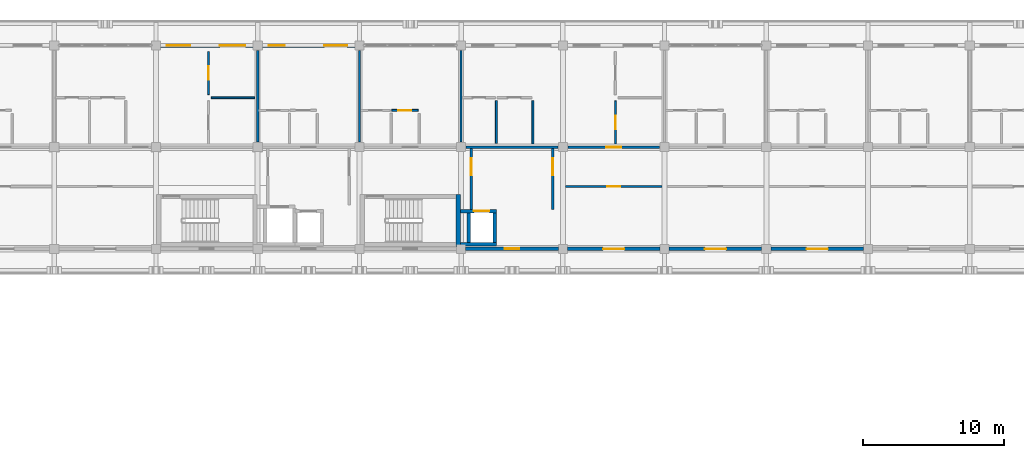
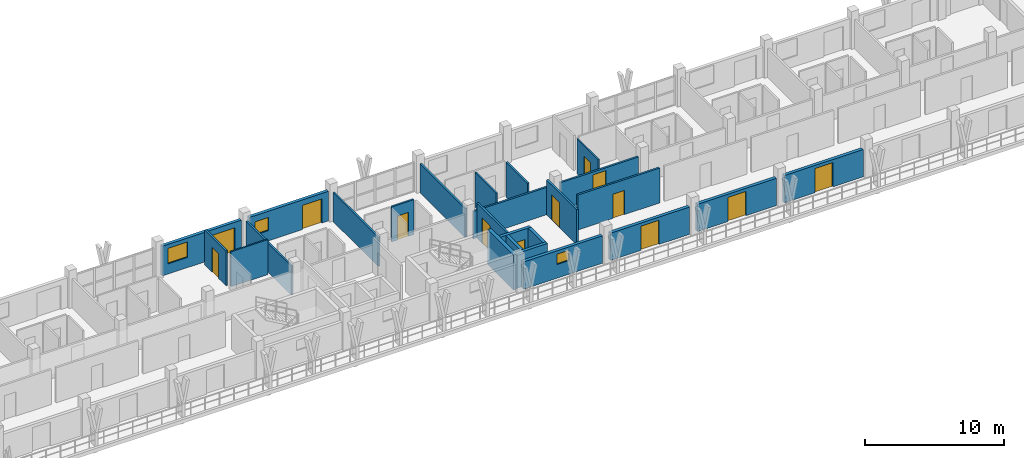
# One storey, part 45 of 75: 25 walls, 13 doors, 3 windows, 16 openings.
"""IFC4 building model written with IfcOpenShell, lengths in metres."""

from ifc_helpers import new_model, si_unit, direction, frame, frame_2d, origin, place, context, subcontext, project, spatial, rectangle, extrude, material, layer, layer_set, type_object, element, fill, save


model = new_model("IFC4")

# Units and contexts
model_context = context("Model", 3, precision=1e-05, world=origin(), true_north=direction((0.0, 1.0)))
body_context = subcontext(model_context, "Body", "Model", "MODEL_VIEW")
ifc_project = project(units=[si_unit("LENGTHUNIT", "METRE"), si_unit("AREAUNIT", "SQUARE_METRE"), si_unit("VOLUMEUNIT", "CUBIC_METRE"), si_unit("PLANEANGLEUNIT", "RADIAN"), si_unit("MASSUNIT", "GRAM", prefix="KILO")], contexts=[model_context])

# Site, building, storey
site_placement = place(None, origin())
site = spatial("IfcSite", under=ifc_project, at=site_placement, CompositionType="ELEMENT")
building_placement = place(site_placement, origin())
building = spatial("IfcBuilding", under=site, at=building_placement, Name="Suanplinth Sawtooth Commons", CompositionType="ELEMENT")
storey_placement = place(building_placement, frame((0.0, 0.0, 18.60009765625)))
storey = spatial("IfcBuildingStorey", under=building, at=storey_placement, Name="L05", CompositionType="ELEMENT", Elevation=18.60009765625)

# Wall
ifc_material_1 = material(Name="Concrete C40/50", Category="concrete")
ifc_layer_1 = layer(ifc_material_1, 0.300048828125, Name="Standard RC stair and lift core wall 300mm")
ifc_layer_set_1 = layer_set([ifc_layer_1], Name="Concrete C40/50")
wall_type_1 = type_object("IfcWallType", Name="W-CR02", PredefinedType="SHEAR", material=ifc_layer_set_1)
wall_1_placement = place(storey_placement, frame((64.60009765625, 108.14990234375, 0.0), z_axis=(0.0, 0.0, 1.0), x_axis=(0.0, 1.0, 0.0)))
element("IfcWall", 1, at=wall_1_placement, inside=storey, type_object=wall_type_1, Name="W-L05-C-A2-STE", PredefinedType="SHEAR", context=body_context, shape_type="SweptSolid", body=[
    extrude(rectangle(XDim=3.7001953125, YDim=0.300048828125, at=frame_2d((1.85009765625, 0.0))), origin(), (0.0, 0.0, 1.0), 3.059814453125),
])

# Wall, openings, door, window
ifc_material_2 = material(Name="Precast concrete C40/50", Category="concrete")
ifc_layer_2 = layer(ifc_material_2, 0.260009765625, Name="Insulated precast courtyard facade wall 260mm")
ifc_layer_set_2 = layer_set([ifc_layer_2], Name="Precast concrete C40/50")
wall_type_2 = type_object("IfcWallType", Name="W-EX02", PredefinedType="ELEMENTEDWALL", material=ifc_layer_set_2)
wall_2_placement = place(storey_placement, frame((43.52490234375, 122.39990234375, 0.0), z_axis=(0.0, 0.0, 1.0), x_axis=(1.0, 0.0, 0.0)))
wall_2 = element("IfcWall", 2, at=wall_2_placement, inside=storey, type_object=wall_type_2, Name="Facade Wall W-L05-A-N-6", PredefinedType="ELEMENTEDWALL", context=body_context, shape_type="SweptSolid", body=[
    extrude(rectangle(XDim=6.550048828125, YDim=0.260009765625, at=frame_2d((3.27490234375, 0.0))), origin(), (0.0, 0.0, 1.0), 2.594970703125),
])
opening_1_placement = place(wall_2_placement, frame((4.199951171875, 0.0, 0.0)))
opening_1 = element("IfcOpeningElement", 3, at=opening_1_placement, cuts=wall_2, Name="Opening ED0405", PredefinedType="OPENING", context=body_context, shape_type="SweptSolid", body=[
    extrude(rectangle(XDim=1.800048828125, YDim=2.1201171875, at=frame_2d((0.89990234375, 1.06005859375))), frame((0.0, 0.14501953125, 0.0), z_axis=(0.0, -1.0, 0.0), x_axis=(1.0, 0.0, 0.0)), (0.0, 0.0, 1.0), 0.289794921875),
])
opening_2_placement = place(wall_2_placement, frame((0.449951171875, 0.0, 0.89990234375)))
opening_2 = element("IfcOpeningElement", 4, at=opening_2_placement, cuts=wall_2, Name="Opening W0496", PredefinedType="OPENING", context=body_context, shape_type="SweptSolid", body=[
    extrude(rectangle(XDim=1.64990234375, YDim=1.35009765625, at=frame_2d((0.824951171875, 0.675048828125))), frame((0.0, 0.14501953125, 0.0), z_axis=(0.0, -1.0, 0.0), x_axis=(1.0, 0.0, 0.0)), (0.0, 0.0, 1.0), 0.289794921875),
])
ifc_material_3 = material(Name="Anodized aluminium and low-E glass", Category="aluminium")
door_type_1 = type_object("IfcDoorType", Name="SD-01", OperationType="SLIDING_TO_LEFT", PredefinedType="DOOR", material=ifc_material_3)
door_1_placement = place(opening_1_placement, frame((1.800048828125, 0.0, 0.0), z_axis=(0.0, 0.0, 1.0), x_axis=(-1.0, 0.0, 0.0)))
door_1 = element("IfcDoor", 5, at=door_1_placement, inside=storey, type_object=door_type_1, Name="Balcony Sliding Door L05-A-N-6", OperationType="SLIDING_TO_LEFT", OverallHeight=2.1201171875, OverallWidth=1.800048828125, PredefinedType="DOOR", context=body_context, shape_type="SweptSolid", body=[
    extrude(rectangle(XDim=1.800048828125, YDim=2.1201171875, at=frame_2d((0.89990234375, 1.06005859375))), frame((0.0, 0.02490234375, 0.0), z_axis=(0.0, -1.0, 0.0), x_axis=(1.0, 0.0, 0.0)), (0.0, 0.0, 1.0), 0.050048828125),
])
fill(opening_1, door_1)
ifc_material_4 = material(Name="Thermally broken aluminium and low-E double glazing", Category="aluminium")
window_type_1 = type_object("IfcWindowType", Name="WN-19", PartitioningType="DOUBLE_PANEL_VERTICAL", PredefinedType="WINDOW", material=ifc_material_4)
window_1_placement = place(opening_2_placement, origin())
window_1 = element("IfcWindow", 6, at=window_1_placement, inside=storey, type_object=window_type_1, Name="Window L05-A-N-6", OverallHeight=1.35009765625, OverallWidth=1.64990234375, PartitioningType="DOUBLE_PANEL_VERTICAL", PredefinedType="WINDOW", context=body_context, shape_type="SweptSolid", body=[
    extrude(rectangle(XDim=1.64990234375, YDim=1.35009765625, at=frame_2d((0.824951171875, 0.675048828125))), frame((0.0, 0.030029296875, 0.0), z_axis=(0.0, -1.0, 0.0), x_axis=(1.0, 0.0, 0.0)), (0.0, 0.0, 1.0), 0.06005859375),
])
fill(opening_2, window_1)

wall_3_placement = place(storey_placement, frame((50.72509765625, 122.39990234375, 0.0), z_axis=(0.0, 0.0, 1.0), x_axis=(1.0, 0.0, 0.0)))
wall_3 = element("IfcWall", 7, at=wall_3_placement, inside=storey, type_object=wall_type_2, Name="Facade Wall W-L05-A-N-7", PredefinedType="ELEMENTEDWALL", context=body_context, shape_type="SweptSolid", body=[
    extrude(rectangle(XDim=6.5498046875, YDim=0.260009765625, at=frame_2d((3.27490234375, 0.0))), origin(), (0.0, 0.0, 1.0), 2.594970703125),
])
opening_3_placement = place(wall_3_placement, frame((4.39990234375, 0.0, 0.0)))
opening_3 = element("IfcOpeningElement", 8, at=opening_3_placement, cuts=wall_3, Name="Opening ED0406", PredefinedType="OPENING", context=body_context, shape_type="SweptSolid", body=[
    extrude(rectangle(XDim=1.60009765625, YDim=2.1201171875, at=frame_2d((0.800048828125, 1.06005859375))), frame((0.0, 0.14501953125, 0.0), z_axis=(0.0, -1.0, 0.0), x_axis=(1.0, 0.0, 0.0)), (0.0, 0.0, 1.0), 0.289794921875),
])
opening_4_placement = place(wall_3_placement, frame((0.449951171875, 0.0, 0.89990234375)))
opening_4 = element("IfcOpeningElement", 9, at=opening_4_placement, cuts=wall_3, Name="Opening W0498", PredefinedType="OPENING", context=body_context, shape_type="SweptSolid", body=[
    extrude(rectangle(XDim=1.14990234375, YDim=1.14990234375, at=frame_2d((0.574951171875, 0.574951171875))), frame((0.0, 0.14501953125, 0.0), z_axis=(0.0, -1.0, 0.0), x_axis=(1.0, 0.0, 0.0)), (0.0, 0.0, 1.0), 0.289794921875),
])
door_type_2 = type_object("IfcDoorType", Name="SD-02", OperationType="SLIDING_TO_RIGHT", PredefinedType="DOOR", material=ifc_material_3)
door_2_placement = place(opening_3_placement, frame((1.60009765625, 0.0, 0.0), z_axis=(0.0, 0.0, 1.0), x_axis=(-1.0, 0.0, 0.0)))
door_2 = element("IfcDoor", 10, at=door_2_placement, inside=storey, type_object=door_type_2, Name="Balcony Sliding Door L05-A-N-7", OperationType="SLIDING_TO_RIGHT", OverallHeight=2.1201171875, OverallWidth=1.60009765625, PredefinedType="DOOR", context=body_context, shape_type="SweptSolid", body=[
    extrude(rectangle(XDim=1.60009765625, YDim=2.1201171875, at=frame_2d((0.800048828125, 1.06005859375))), frame((0.0, 0.02490234375, 0.0), z_axis=(0.0, -1.0, 0.0), x_axis=(1.0, 0.0, 0.0)), (0.0, 0.0, 1.0), 0.050048828125),
])
fill(opening_3, door_2)
window_type_2 = type_object("IfcWindowType", Name="WN-20", PartitioningType="SINGLE_PANEL", PredefinedType="WINDOW", material=ifc_material_4)
window_2_placement = place(opening_4_placement, origin())
window_2 = element("IfcWindow", 11, at=window_2_placement, inside=storey, type_object=window_type_2, Name="Window L05-A-N-7", OverallHeight=1.14990234375, OverallWidth=1.14990234375, PartitioningType="SINGLE_PANEL", PredefinedType="WINDOW", context=body_context, shape_type="SweptSolid", body=[
    extrude(rectangle(XDim=1.14990234375, YDim=1.14990234375, at=frame_2d((0.574951171875, 0.574951171875))), frame((0.0, 0.030029296875, 0.0), z_axis=(0.0, -1.0, 0.0), x_axis=(1.0, 0.0, 0.0)), (0.0, 0.0, 1.0), 0.06005859375),
])
fill(opening_4, window_2)

# Wall, opening, window
wall_4_placement = place(storey_placement, frame((65.125, 108.0, 0.0), z_axis=(0.0, 0.0, 1.0), x_axis=(1.0, 0.0, 0.0)))
wall_4 = element("IfcWall", 12, at=wall_4_placement, inside=storey, type_object=wall_type_2, Name="Courtyard Wall W-L05-A-S-9", PredefinedType="ELEMENTEDWALL", context=body_context, shape_type="SweptSolid", body=[
    extrude(rectangle(XDim=6.550048828125, YDim=0.260009765625, at=frame_2d((3.27490234375, 0.0))), origin(), (0.0, 0.0, 1.0), 2.39501953125),
])
opening_5_placement = place(wall_4_placement, frame((2.77490234375, 0.0, 1.199951171875)))
opening_5 = element("IfcOpeningElement", 13, at=opening_5_placement, cuts=wall_4, Name="Opening W0502", PredefinedType="OPENING", context=body_context, shape_type="SweptSolid", body=[
    extrude(rectangle(XDim=1.0, YDim=0.89990234375, at=frame_2d((0.5, 0.449951171875))), frame((0.0, 0.14501953125, 0.0), z_axis=(0.0, -1.0, 0.0), x_axis=(1.0, 0.0, 0.0)), (0.0, 0.0, 1.0), 0.289794921875),
])
window_type_3 = type_object("IfcWindowType", Name="WN-12", PartitioningType="SINGLE_PANEL", PredefinedType="WINDOW", material=ifc_material_4)
window_3_placement = place(opening_5_placement, origin())
window_3 = element("IfcWindow", 14, at=window_3_placement, inside=storey, type_object=window_type_3, Name="Core Daylight Window L05-A-9", OverallHeight=0.89990234375, OverallWidth=1.0, PartitioningType="SINGLE_PANEL", PredefinedType="WINDOW", context=body_context, shape_type="SweptSolid", body=[
    extrude(rectangle(XDim=1.0, YDim=0.89990234375, at=frame_2d((0.5, 0.449951171875))), frame((0.0, 0.030029296875, 0.0), z_axis=(0.0, -1.0, 0.0), x_axis=(1.0, 0.0, 0.0)), (0.0, 0.0, 1.0), 0.06005859375),
])
fill(opening_5, window_3)

# Wall, opening, door
wall_5_placement = place(storey_placement, frame((72.324951171875, 108.0, 0.0), z_axis=(0.0, 0.0, 1.0), x_axis=(1.0, 0.0, 0.0)))
wall_5 = element("IfcWall", 15, at=wall_5_placement, inside=storey, type_object=wall_type_2, Name="Courtyard Wall W-L05-A-S-10", PredefinedType="ELEMENTEDWALL", context=body_context, shape_type="SweptSolid", body=[
    extrude(rectangle(XDim=6.550048828125, YDim=0.260009765625, at=frame_2d((3.27490234375, 0.0))), origin(), (0.0, 0.0, 1.0), 2.39501953125),
])
opening_6_placement = place(wall_5_placement, frame((2.52490234375, 0.0, 0.0)))
opening_6 = element("IfcOpeningElement", 16, at=opening_6_placement, cuts=wall_5, Name="Opening ED0409", PredefinedType="OPENING", context=body_context, shape_type="SweptSolid", body=[
    extrude(rectangle(XDim=1.5, YDim=2.1201171875, at=frame_2d((0.75, 1.06005859375))), frame((0.0, 0.14501953125, 0.0), z_axis=(0.0, -1.0, 0.0), x_axis=(1.0, 0.0, 0.0)), (0.0, 0.0, 1.0), 0.289794921875),
])
door_type_3 = type_object("IfcDoorType", Name="SD-03", OperationType="SLIDING_TO_LEFT", PredefinedType="DOOR", material=ifc_material_3)
door_3_placement = place(opening_6_placement, frame((1.5, 0.0, 0.0), z_axis=(0.0, 0.0, 1.0), x_axis=(-1.0, 0.0, 0.0)))
door_3 = element("IfcDoor", 17, at=door_3_placement, inside=storey, type_object=door_type_3, Name="Courtyard Balcony Sliding Door L05-A-S-10", OperationType="SLIDING_TO_LEFT", OverallHeight=2.1201171875, OverallWidth=1.5, PredefinedType="DOOR", context=body_context, shape_type="SweptSolid", body=[
    extrude(rectangle(XDim=1.5, YDim=2.1201171875, at=frame_2d((0.75, 1.06005859375))), frame((0.0, 0.02490234375, 0.0), z_axis=(0.0, -1.0, 0.0), x_axis=(1.0, 0.0, 0.0)), (0.0, 0.0, 1.0), 0.050048828125),
])
fill(opening_6, door_3)

wall_6_placement = place(storey_placement, frame((79.52490234375, 108.0, 0.0), z_axis=(0.0, 0.0, 1.0), x_axis=(1.0, 0.0, 0.0)))
wall_6 = element("IfcWall", 18, at=wall_6_placement, inside=storey, type_object=wall_type_2, Name="Courtyard Wall W-L05-A-S-11", PredefinedType="ELEMENTEDWALL", context=body_context, shape_type="SweptSolid", body=[
    extrude(rectangle(XDim=6.550048828125, YDim=0.260009765625, at=frame_2d((3.27490234375, 0.0))), origin(), (0.0, 0.0, 1.0), 2.39501953125),
])
opening_7_placement = place(wall_6_placement, frame((2.52490234375, 0.0, 0.0)))
opening_7 = element("IfcOpeningElement", 19, at=opening_7_placement, cuts=wall_6, Name="Opening ED0410", PredefinedType="OPENING", context=body_context, shape_type="SweptSolid", body=[
    extrude(rectangle(XDim=1.5, YDim=2.1201171875, at=frame_2d((0.75, 1.06005859375))), frame((0.0, 0.14501953125, 0.0), z_axis=(0.0, -1.0, 0.0), x_axis=(1.0, 0.0, 0.0)), (0.0, 0.0, 1.0), 0.289794921875),
])
door_4_placement = place(opening_7_placement, frame((1.5, 0.0, 0.0), z_axis=(0.0, 0.0, 1.0), x_axis=(-1.0, 0.0, 0.0)))
door_4 = element("IfcDoor", 20, at=door_4_placement, inside=storey, type_object=door_type_3, Name="Courtyard Balcony Sliding Door L05-A-S-11", OperationType="SLIDING_TO_LEFT", OverallHeight=2.1201171875, OverallWidth=1.5, PredefinedType="DOOR", context=body_context, shape_type="SweptSolid", body=[
    extrude(rectangle(XDim=1.5, YDim=2.1201171875, at=frame_2d((0.75, 1.06005859375))), frame((0.0, 0.02490234375, 0.0), z_axis=(0.0, -1.0, 0.0), x_axis=(1.0, 0.0, 0.0)), (0.0, 0.0, 1.0), 0.050048828125),
])
fill(opening_7, door_4)

wall_7_placement = place(storey_placement, frame((86.72509765625, 108.0, 0.0), z_axis=(0.0, 0.0, 1.0), x_axis=(1.0, 0.0, 0.0)))
wall_7 = element("IfcWall", 21, at=wall_7_placement, inside=storey, type_object=wall_type_2, Name="Courtyard Wall W-L05-A-S-12", PredefinedType="ELEMENTEDWALL", context=body_context, shape_type="SweptSolid", body=[
    extrude(rectangle(XDim=6.5498046875, YDim=0.260009765625, at=frame_2d((3.27490234375, 0.0))), origin(), (0.0, 0.0, 1.0), 2.39501953125),
])
opening_8_placement = place(wall_7_placement, frame((2.52490234375, 0.0, 0.0)))
opening_8 = element("IfcOpeningElement", 22, at=opening_8_placement, cuts=wall_7, Name="Opening ED0412", PredefinedType="OPENING", context=body_context, shape_type="SweptSolid", body=[
    extrude(rectangle(XDim=1.5, YDim=2.1201171875, at=frame_2d((0.75, 1.06005859375))), frame((0.0, 0.14501953125, 0.0), z_axis=(0.0, -1.0, 0.0), x_axis=(1.0, 0.0, 0.0)), (0.0, 0.0, 1.0), 0.289794921875),
])
door_5_placement = place(opening_8_placement, frame((1.5, 0.0, 0.0), z_axis=(0.0, 0.0, 1.0), x_axis=(-1.0, 0.0, 0.0)))
door_5 = element("IfcDoor", 23, at=door_5_placement, inside=storey, type_object=door_type_3, Name="Courtyard Balcony Sliding Door L05-A-S-12", OperationType="SLIDING_TO_LEFT", OverallHeight=2.1201171875, OverallWidth=1.5, PredefinedType="DOOR", context=body_context, shape_type="SweptSolid", body=[
    extrude(rectangle(XDim=1.5, YDim=2.1201171875, at=frame_2d((0.75, 1.06005859375))), frame((0.0, 0.02490234375, 0.0), z_axis=(0.0, -1.0, 0.0), x_axis=(1.0, 0.0, 0.0)), (0.0, 0.0, 1.0), 0.050048828125),
])
fill(opening_8, door_5)

ifc_layer_3 = layer(ifc_material_2, 0.159912109375, Name="Fire-rated corridor and lobby wall 160mm")
ifc_layer_set_3 = layer_set([ifc_layer_3], Name="Precast concrete C40/50")
wall_type_3 = type_object("IfcWallType", Name="W-FW01", PredefinedType="PARTITIONING", material=ifc_layer_set_3)
wall_8_placement = place(storey_placement, frame((65.52001953125, 110.800048828125, 0.0), z_axis=(0.0, 0.0, 1.0), x_axis=(0.0, 1.0, 0.0)))
wall_8 = element("IfcWall", 24, at=wall_8_placement, inside=storey, type_object=wall_type_3, Name="W-L05-C-A2-LOB-W", PredefinedType="PARTITIONING", context=body_context, shape_type="SweptSolid", body=[
    extrude(rectangle(XDim=4.320068359375, YDim=0.159912109375, at=frame_2d((2.16015625, 0.0))), origin(), (0.0, 0.0, 1.0), 3.059814453125),
])
opening_9_placement = place(wall_8_placement, frame((2.39990234375, 0.0, 0.0)))
opening_9 = element("IfcOpeningElement", 25, at=opening_9_placement, cuts=wall_8, Name="Opening FD0111", PredefinedType="OPENING", context=body_context, shape_type="SweptSolid", body=[
    extrude(rectangle(XDim=1.199951171875, YDim=2.199951171875, at=frame_2d((0.60009765625, 1.10009765625))), frame((0.0, 0.0947265625, 0.0), z_axis=(0.0, -1.0, 0.0), x_axis=(1.0, 0.0, 0.0)), (0.0, 0.0, 1.0), 0.189697265625),
])
ifc_material_5 = material(Name="Teak hardwood fire-rated door assembly", Category="wood")
door_type_4 = type_object("IfcDoorType", Name="FD-02", OperationType="NOTDEFINED", PredefinedType="DOOR", material=ifc_material_5)
door_6_placement = place(opening_9_placement, origin())
door_6 = element("IfcDoor", 26, at=door_6_placement, inside=storey, type_object=door_type_4, Name="Lobby Fire Door FD0111", OperationType="SINGLE_SWING_RIGHT", OverallHeight=2.199951171875, OverallWidth=1.199951171875, PredefinedType="DOOR", context=body_context, shape_type="SweptSolid", body=[
    extrude(rectangle(XDim=1.199951171875, YDim=2.199951171875, at=frame_2d((0.60009765625, 1.10009765625))), frame((0.0, 0.02490234375, 0.0), z_axis=(0.0, -1.0, 0.0), x_axis=(1.0, 0.0, 0.0)), (0.0, 0.0, 1.0), 0.050048828125),
])
fill(opening_9, door_6)

wall_9_placement = place(storey_placement, frame((71.280029296875, 110.800048828125, 0.0), z_axis=(0.0, 0.0, 1.0), x_axis=(0.0, 1.0, 0.0)))
wall_9 = element("IfcWall", 27, at=wall_9_placement, inside=storey, type_object=wall_type_3, Name="W-L05-C-A2-LOB-E", PredefinedType="PARTITIONING", context=body_context, shape_type="SweptSolid", body=[
    extrude(rectangle(XDim=4.320068359375, YDim=0.159912109375, at=frame_2d((2.16015625, 0.0))), origin(), (0.0, 0.0, 1.0), 3.059814453125),
])
opening_10_placement = place(wall_9_placement, frame((2.39990234375, 0.0, 0.0)))
opening_10 = element("IfcOpeningElement", 28, at=opening_10_placement, cuts=wall_9, Name="Opening FD0112", PredefinedType="OPENING", context=body_context, shape_type="SweptSolid", body=[
    extrude(rectangle(XDim=1.199951171875, YDim=2.199951171875, at=frame_2d((0.60009765625, 1.10009765625))), frame((0.0, 0.0947265625, 0.0), z_axis=(0.0, -1.0, 0.0), x_axis=(1.0, 0.0, 0.0)), (0.0, 0.0, 1.0), 0.189697265625),
])
door_7_placement = place(opening_10_placement, frame((1.199951171875, 0.0, 0.0), z_axis=(0.0, 0.0, 1.0), x_axis=(-1.0, 0.0, 0.0)))
door_7 = element("IfcDoor", 29, at=door_7_placement, inside=storey, type_object=door_type_4, Name="Lobby Fire Door FD0112", OperationType="SINGLE_SWING_LEFT", OverallHeight=2.199951171875, OverallWidth=1.199951171875, PredefinedType="DOOR", context=body_context, shape_type="SweptSolid", body=[
    extrude(rectangle(XDim=1.199951171875, YDim=2.199951171875, at=frame_2d((0.60009765625, 1.10009765625))), frame((0.0, 0.02490234375, 0.0), z_axis=(0.0, -1.0, 0.0), x_axis=(1.0, 0.0, 0.0)), (0.0, 0.0, 1.0), 0.050048828125),
])
fill(opening_10, door_7)

# Wall
wall_10_placement = place(storey_placement, frame((65.155029296875, 115.199951171875, 0.0), z_axis=(0.0, 0.0, 1.0), x_axis=(1.0, 0.0, 0.0)))
element("IfcWall", 30, at=wall_10_placement, inside=storey, type_object=wall_type_3, Name="W-A-L05-U07-COR-S1", PredefinedType="PARTITIONING", context=body_context, shape_type="SweptSolid", body=[
    extrude(rectangle(XDim=6.489990234375, YDim=0.159912109375, at=frame_2d((3.2451171875, 0.0))), origin(), (0.0, 0.0, 1.0), 2.39501953125),
])

# Wall, opening, door
wall_11_placement = place(storey_placement, frame((72.35498046875, 115.199951171875, 0.0), z_axis=(0.0, 0.0, 1.0), x_axis=(1.0, 0.0, 0.0)))
wall_11 = element("IfcWall", 31, at=wall_11_placement, inside=storey, type_object=wall_type_3, Name="W-A-L05-U07-COR-S2", PredefinedType="PARTITIONING", context=body_context, shape_type="SweptSolid", body=[
    extrude(rectangle(XDim=6.489990234375, YDim=0.159912109375, at=frame_2d((3.2451171875, 0.0))), origin(), (0.0, 0.0, 1.0), 2.39501953125),
])
opening_11_placement = place(wall_11_placement, frame((2.719970703125, 0.0, 0.0)))
opening_11 = element("IfcOpeningElement", 32, at=opening_11_placement, cuts=wall_11, Name="Opening FD1219", PredefinedType="OPENING", context=body_context, shape_type="SweptSolid", body=[
    extrude(rectangle(XDim=1.050048828125, YDim=2.14990234375, at=frame_2d((0.52490234375, 1.074951171875))), frame((0.0, 0.0947265625, 0.0), z_axis=(0.0, -1.0, 0.0), x_axis=(1.0, 0.0, 0.0)), (0.0, 0.0, 1.0), 0.189697265625),
])
door_type_5 = type_object("IfcDoorType", Name="FD-04", OperationType="NOTDEFINED", PredefinedType="DOOR", material=ifc_material_5)
door_8_placement = place(opening_11_placement, origin())
door_8 = element("IfcDoor", 33, at=door_8_placement, inside=storey, type_object=door_type_5, Name="Unit Entrance Door FD1219", OperationType="SINGLE_SWING_LEFT", OverallHeight=2.14990234375, OverallWidth=1.050048828125, PredefinedType="DOOR", context=body_context, shape_type="SweptSolid", body=[
    extrude(rectangle(XDim=1.050048828125, YDim=2.14990234375, at=frame_2d((0.52490234375, 1.074951171875))), frame((0.0, 0.02490234375, 0.0), z_axis=(0.0, -1.0, 0.0), x_axis=(1.0, 0.0, 0.0)), (0.0, 0.0, 1.0), 0.050048828125),
])
fill(opening_11, door_8)

wall_12_placement = place(storey_placement, frame((72.199951171875, 112.419921875, 0.0), z_axis=(0.0, 0.0, 1.0), x_axis=(1.0, 0.0, 0.0)))
wall_12 = element("IfcWall", 34, at=wall_12_placement, inside=storey, type_object=wall_type_3, Name="W-A-L05-COURTROOM-17-COR", PredefinedType="PARTITIONING", context=body_context, shape_type="SweptSolid", body=[
    extrude(rectangle(XDim=6.800048828125, YDim=0.159912109375, at=frame_2d((3.39990234375, 0.0))), origin(), (0.0, 0.0, 1.0), 3.059814453125),
])
opening_12_placement = place(wall_12_placement, frame((2.929931640625, 0.0, 0.0)))
opening_12 = element("IfcOpeningElement", 35, at=opening_12_placement, cuts=wall_12, Name="Opening D1242", PredefinedType="OPENING", context=body_context, shape_type="SweptSolid", body=[
    extrude(rectangle(XDim=0.93994140625, YDim=2.1201171875, at=frame_2d((0.469970703125, 1.06005859375))), frame((0.0, 0.0947265625, 0.0), z_axis=(0.0, -1.0, 0.0), x_axis=(1.0, 0.0, 0.0)), (0.0, 0.0, 1.0), 0.189697265625),
])
ifc_material_6 = material(Name="Teak hardwood", Category="wood")
door_type_6 = type_object("IfcDoorType", Name="D-15", OperationType="NOTDEFINED", PredefinedType="DOOR", material=ifc_material_6)
door_9_placement = place(opening_12_placement, frame((0.93994140625, 0.0, 0.0), z_axis=(0.0, 0.0, 1.0), x_axis=(-1.0, 0.0, 0.0)))
door_9 = element("IfcDoor", 36, at=door_9_placement, inside=storey, type_object=door_type_6, Name="Study Studio Door D1242", OperationType="SINGLE_SWING_RIGHT", OverallHeight=2.1201171875, OverallWidth=0.93994140625, PredefinedType="DOOR", context=body_context, shape_type="SweptSolid", body=[
    extrude(rectangle(XDim=0.93994140625, YDim=2.1201171875, at=frame_2d((0.469970703125, 1.06005859375))), frame((0.0, 0.02490234375, 0.0), z_axis=(0.0, -1.0, 0.0), x_axis=(1.0, 0.0, 0.0)), (0.0, 0.0, 1.0), 0.050048828125),
])
fill(opening_12, door_9)

# Walls
ifc_layer_4 = layer(ifc_material_2, 0.14990234375, Name="Acoustic precast party demising wall 150mm")
ifc_layer_set_4 = layer_set([ifc_layer_4], Name="Precast concrete C40/50")
wall_type_4 = type_object("IfcWallType", Name="W-FW02", PredefinedType="PARTITIONING", material=ifc_layer_set_4)
for number, where, z_axis, x_axis, name in (
    (37, (50.39990234375, 115.554931640625, 0.0), (0.0, 0.0, 1.0), (0.0, 1.0, 0.0), "W-A-L05-U04-PTY"),
    (38, (57.60009765625, 115.554931640625, 0.0), (0.0, 0.0, 1.0), (0.0, 1.0, 0.0), "W-A-L05-U05-PTY"),
    (39, (64.800048828125, 115.554931640625, 0.0), (0.0, 0.0, 1.0), (0.0, 1.0, 0.0), "W-A-L05-U06-PTY"),
):
    element("IfcWall", number, at=place(storey_placement, frame(where, z_axis=z_axis, x_axis=x_axis)), inside=storey, type_object=wall_type_4, Name=name, PredefinedType="PARTITIONING", context=body_context, shape_type="SweptSolid", body=[
        extrude(rectangle(XDim=6.489990234375, YDim=0.14990234375, at=frame_2d((3.2451171875, 0.0))), origin(), (0.0, 0.0, 1.0), 2.544921875),
    ])

# Wall, opening, door
ifc_material_7 = material(Name="Gypsum plasterboard on steel stud", Category="steel")
ifc_layer_5 = layer(ifc_material_7, 0.139892578125, Name="Fire-rated kitchen partition 140mm")
ifc_layer_set_5 = layer_set([ifc_layer_5], Name="Gypsum plasterboard on steel stud")
wall_type_5 = type_object("IfcWallType", Name="W-PT01", PredefinedType="PARTITIONING", material=ifc_layer_set_5)
wall_13_placement = place(storey_placement, frame((59.89990234375, 117.800048828125, 0.0), z_axis=(0.0, 0.0, 1.0), x_axis=(1.0, 0.0, 0.0)))
wall_13 = element("IfcWall", 40, at=wall_13_placement, inside=storey, type_object=wall_type_5, Name="W-A-L05-U06-KIT1", PredefinedType="PARTITIONING", context=body_context, shape_type="SweptSolid", body=[
    extrude(rectangle(XDim=1.85009765625, YDim=0.139892578125, at=frame_2d((0.925048828125, 0.0))), origin(), (0.0, 0.0, 1.0), 3.059814453125),
])
opening_13_placement = place(wall_13_placement, frame((0.465087890625, 0.0, 0.0)))
opening_13 = element("IfcOpeningElement", 41, at=opening_13_placement, cuts=wall_13, Name="Opening D1218", PredefinedType="OPENING", context=body_context, shape_type="SweptSolid", body=[
    extrude(rectangle(XDim=0.919921875, YDim=2.10009765625, at=frame_2d((0.4599609375, 1.050048828125))), frame((0.0, 0.0849609375, 0.0), z_axis=(0.0, -1.0, 0.0), x_axis=(1.0, 0.0, 0.0)), (0.0, 0.0, 1.0), 0.169677734375),
])
door_type_7 = type_object("IfcDoorType", Name="D-02", OperationType="NOTDEFINED", PredefinedType="DOOR", material=ifc_material_6)
door_10_placement = place(opening_13_placement, frame((0.919921875, 0.0, 0.0), z_axis=(0.0, 0.0, 1.0), x_axis=(-1.0, 0.0, 0.0)))
door_10 = element("IfcDoor", 42, at=door_10_placement, inside=storey, type_object=door_type_7, Name="Kitchen Door D1218", OperationType="SINGLE_SWING_RIGHT", OverallHeight=2.10009765625, OverallWidth=0.919921875, PredefinedType="DOOR", context=body_context, shape_type="SweptSolid", body=[
    extrude(rectangle(XDim=0.919921875, YDim=2.10009765625, at=frame_2d((0.4599609375, 1.050048828125))), frame((0.0, 0.02490234375, 0.0), z_axis=(0.0, -1.0, 0.0), x_axis=(1.0, 0.0, 0.0)), (0.0, 0.0, 1.0), 0.050048828125),
])
fill(opening_13, door_10)

# Walls
wall_14_placement = place(storey_placement, frame((69.8701171875, 115.429931640625, 0.0), z_axis=(0.0, 0.0, 1.0), x_axis=(0.0, 1.0, 0.0)))
element("IfcWall", 43, at=wall_14_placement, inside=storey, type_object=wall_type_5, Name="W-A-L05-U07-KIT2", PredefinedType="PARTITIONING", context=body_context, shape_type="SweptSolid", body=[
    extrude(rectangle(XDim=3.06005859375, YDim=0.139892578125, at=frame_2d((1.530029296875, 0.0))), origin(), (0.0, 0.0, 1.0), 3.059814453125),
])
ifc_layer_6 = layer(ifc_material_7, 0.1298828125, Name="Moisture-resistant bathroom partition 130mm")
ifc_layer_set_6 = layer_set([ifc_layer_6], Name="Gypsum plasterboard on steel stud")
wall_type_6 = type_object("IfcWallType", Name="W-PT02", PredefinedType="PARTITIONING", material=ifc_layer_set_6)
wall_15_placement = place(storey_placement, frame((67.294921875, 115.4599609375, 0.0), z_axis=(0.0, 0.0, 1.0), x_axis=(0.0, 1.0, 0.0)))
element("IfcWall", 44, at=wall_15_placement, inside=storey, type_object=wall_type_6, Name="W-A-L05-U07-BTH2", PredefinedType="PARTITIONING", context=body_context, shape_type="SweptSolid", body=[
    extrude(rectangle(XDim=3.0400390625, YDim=0.1298828125, at=frame_2d((1.52001953125, 0.0))), origin(), (0.0, 0.0, 1.0), 3.059814453125),
])

# Wall, opening, door
ifc_layer_7 = layer(ifc_material_7, 0.1201171875, Name="Acoustic bedroom partition 120mm")
ifc_layer_set_7 = layer_set([ifc_layer_7], Name="Gypsum plasterboard on steel stud")
wall_type_7 = type_object("IfcWallType", Name="W-PT03", PredefinedType="PARTITIONING", material=ifc_layer_set_7)
wall_16_placement = place(storey_placement, frame((75.719970703125, 115.43994140625, 0.0), z_axis=(0.0, 0.0, 1.0), x_axis=(0.0, 1.0, 0.0)))
wall_16 = element("IfcWall", 45, at=wall_16_placement, inside=storey, type_object=wall_type_7, Name="W-A-L05-U07-BED2", PredefinedType="PARTITIONING", context=body_context, shape_type="SweptSolid", body=[
    extrude(rectangle(XDim=3.0400390625, YDim=0.1201171875, at=frame_2d((1.52001953125, 0.0))), origin(), (0.0, 0.0, 1.0), 3.059814453125),
])
opening_14_placement = place(wall_16_placement, frame((1.0400390625, 0.0, 0.0)))
opening_14 = element("IfcOpeningElement", 46, at=opening_14_placement, cuts=wall_16, Name="Opening D1223", PredefinedType="OPENING", context=body_context, shape_type="SweptSolid", body=[
    extrude(rectangle(XDim=0.9599609375, YDim=2.14990234375, at=frame_2d((0.47998046875, 1.074951171875))), frame((0.0, 0.074951171875, 0.0), z_axis=(0.0, -1.0, 0.0), x_axis=(1.0, 0.0, 0.0)), (0.0, 0.0, 1.0), 0.14990234375),
])
door_type_8 = type_object("IfcDoorType", Name="D-13", OperationType="NOTDEFINED", PredefinedType="DOOR", material=ifc_material_6)
door_11_placement = place(opening_14_placement, frame((0.9599609375, 0.0, 0.0), z_axis=(0.0, 0.0, 1.0), x_axis=(-1.0, 0.0, 0.0)))
door_11 = element("IfcDoor", 47, at=door_11_placement, inside=storey, type_object=door_type_8, Name="Second Bedroom Door D1223", OperationType="SINGLE_SWING_LEFT", OverallHeight=2.14990234375, OverallWidth=0.9599609375, PredefinedType="DOOR", context=body_context, shape_type="SweptSolid", body=[
    extrude(rectangle(XDim=0.9599609375, YDim=2.14990234375, at=frame_2d((0.47998046875, 1.074951171875))), frame((0.0, 0.02490234375, 0.0), z_axis=(0.0, -1.0, 0.0), x_axis=(1.0, 0.0, 0.0)), (0.0, 0.0, 1.0), 0.050048828125),
])
fill(opening_14, door_11)

# Wall
ifc_layer_8 = layer(ifc_material_7, 0.125, Name="Acoustic study partition 125mm")
ifc_layer_set_8 = layer_set([ifc_layer_8], Name="Gypsum plasterboard on steel stud")
wall_type_8 = type_object("IfcWallType", Name="W-PT06", PredefinedType="PARTITIONING", material=ifc_layer_set_8)
wall_17_placement = place(storey_placement, frame((47.1201171875, 118.699951171875, 0.0), z_axis=(0.0, 0.0, 1.0), x_axis=(1.0, 0.0, 0.0)))
element("IfcWall", 48, at=wall_17_placement, inside=storey, type_object=wall_type_8, Name="W-A-L05-U04-BEDDIV", PredefinedType="PARTITIONING", context=body_context, shape_type="SweptSolid", body=[
    extrude(rectangle(XDim=3.059814453125, YDim=0.125, at=frame_2d((1.52978515625, 0.0))), origin(), (0.0, 0.0, 1.0), 3.059814453125),
])

# Wall, opening, door
ifc_layer_9 = layer(ifc_material_7, 0.135009765625, Name="Insulated bedroom demising partition 135mm")
ifc_layer_set_9 = layer_set([ifc_layer_9], Name="Gypsum plasterboard on steel stud")
wall_type_9 = type_object("IfcWallType", Name="W-PT07", PredefinedType="PARTITIONING", material=ifc_layer_set_9)
wall_18_placement = place(storey_placement, frame((46.919921875, 118.919921875, 0.0), z_axis=(0.0, 0.0, 1.0), x_axis=(0.0, 1.0, 0.0)))
wall_18 = element("IfcWall", 49, at=wall_18_placement, inside=storey, type_object=wall_type_9, Name="W-A-L05-U04-BED1", PredefinedType="PARTITIONING", context=body_context, shape_type="SweptSolid", body=[
    extrude(rectangle(XDim=3.0400390625, YDim=0.135009765625, at=frame_2d((1.52001953125, 0.0))), origin(), (0.0, 0.0, 1.0), 3.059814453125),
])
opening_15_placement = place(wall_18_placement, frame((1.044921875, 0.0, 0.0)))
opening_15 = element("IfcOpeningElement", 50, at=opening_15_placement, cuts=wall_18, Name="Opening D1211", PredefinedType="OPENING", context=body_context, shape_type="SweptSolid", body=[
    extrude(rectangle(XDim=0.949951171875, YDim=2.14990234375, at=frame_2d((0.47509765625, 1.074951171875))), frame((0.0, 0.08251953125, 0.0), z_axis=(0.0, -1.0, 0.0), x_axis=(1.0, 0.0, 0.0)), (0.0, 0.0, 1.0), 0.164794921875),
])
door_type_9 = type_object("IfcDoorType", Name="D-03", OperationType="NOTDEFINED", PredefinedType="DOOR", material=ifc_material_6)
door_12_placement = place(opening_15_placement, frame((0.949951171875, 0.0, 0.0), z_axis=(0.0, 0.0, 1.0), x_axis=(-1.0, 0.0, 0.0)))
door_12 = element("IfcDoor", 51, at=door_12_placement, inside=storey, type_object=door_type_9, Name="Bedroom Door D1211", OperationType="SINGLE_SWING_LEFT", OverallHeight=2.14990234375, OverallWidth=0.949951171875, PredefinedType="DOOR", context=body_context, shape_type="SweptSolid", body=[
    extrude(rectangle(XDim=0.949951171875, YDim=2.14990234375, at=frame_2d((0.47509765625, 1.074951171875))), frame((0.0, 0.02490234375, 0.0), z_axis=(0.0, -1.0, 0.0), x_axis=(1.0, 0.0, 0.0)), (0.0, 0.0, 1.0), 0.050048828125),
])
fill(opening_15, door_12)

# Wall
ifc_layer_10 = layer(ifc_material_2, 0.25, Name="Precast structural shear wall 250mm")
ifc_layer_set_10 = layer_set([ifc_layer_10], Name="Precast concrete C40/50")
wall_type_10 = type_object("IfcWallType", Name="W-SH01", PredefinedType="SHEAR", material=ifc_layer_set_10)
wall_19_placement = place(storey_placement, frame((64.75, 108.324951171875, 0.0), z_axis=(0.0, 0.0, 1.0), x_axis=(1.0, 0.0, 0.0)))
element("IfcWall", 52, at=wall_19_placement, inside=storey, type_object=wall_type_10, Name="W-L05-LF2-S", PredefinedType="SHEAR", context=body_context, shape_type="SweptSolid", body=[
    extrude(rectangle(XDim=2.550048828125, YDim=0.25, at=frame_2d((1.27490234375, 0.0))), origin(), (0.0, 0.0, 1.0), 3.059814453125),
])

# Wall, opening, door
wall_20_placement = place(storey_placement, frame((64.75, 110.675048828125, 0.0), z_axis=(0.0, 0.0, 1.0), x_axis=(1.0, 0.0, 0.0)))
wall_20 = element("IfcWall", 53, at=wall_20_placement, inside=storey, type_object=wall_type_10, Name="W-L05-LF2-N", PredefinedType="SHEAR", context=body_context, shape_type="SweptSolid", body=[
    extrude(rectangle(XDim=2.550048828125, YDim=0.25, at=frame_2d((1.27490234375, 0.0))), origin(), (0.0, 0.0, 1.0), 3.059814453125),
])
opening_16_placement = place(wall_20_placement, frame((0.949951171875, 0.0, 0.0)))
opening_16 = element("IfcOpeningElement", 54, at=opening_16_placement, cuts=wall_20, Name="Opening LD0113", PredefinedType="OPENING", context=body_context, shape_type="SweptSolid", body=[
    extrude(rectangle(XDim=1.10009765625, YDim=2.14990234375, at=frame_2d((0.550048828125, 1.074951171875))), frame((0.0, 0.139892578125, 0.0), z_axis=(0.0, -1.0, 0.0), x_axis=(1.0, 0.0, 0.0)), (0.0, 0.0, 1.0), 0.27978515625),
])
ifc_material_8 = material(Name="Stainless steel Grade 304", Category="steel")
door_type_10 = type_object("IfcDoorType", Name="LD-01", OperationType="SLIDING_TO_LEFT", PredefinedType="DOOR", material=ifc_material_8)
door_13_placement = place(opening_16_placement, origin())
door_13 = element("IfcDoor", 55, at=door_13_placement, inside=storey, type_object=door_type_10, Name="Lift Landing Sliding Door LF2 L05", OperationType="SLIDING_TO_LEFT", OverallHeight=2.14990234375, OverallWidth=1.10009765625, PredefinedType="DOOR", context=body_context, shape_type="SweptSolid", body=[
    extrude(rectangle(XDim=1.10009765625, YDim=2.14990234375, at=frame_2d((0.550048828125, 1.074951171875))), frame((0.0, 0.02490234375, 0.0), z_axis=(0.0, -1.0, 0.0), x_axis=(1.0, 0.0, 0.0)), (0.0, 0.0, 1.0), 0.050048828125),
])
fill(opening_16, door_13)

# Walls
for number, where, z_axis, x_axis, name in (
    (56, (65.324951171875, 108.449951171875, 0.0), (0.0, 0.0, 1.0), (0.0, 1.0, 0.0), "W-L05-LF2-W"),
    (57, (67.175048828125, 108.449951171875, 0.0), (0.0, 0.0, 1.0), (0.0, 1.0, 0.0), "W-L05-LF2-E"),
):
    element("IfcWall", number, at=place(storey_placement, frame(where, z_axis=z_axis, x_axis=x_axis)), inside=storey, type_object=wall_type_10, Name=name, PredefinedType="SHEAR", context=body_context, shape_type="SweptSolid", body=[
        extrude(rectangle(XDim=2.10009765625, YDim=0.25, at=frame_2d((1.050048828125, 0.0))), origin(), (0.0, 0.0, 1.0), 3.059814453125),
    ])

save(model, "model.ifc")
